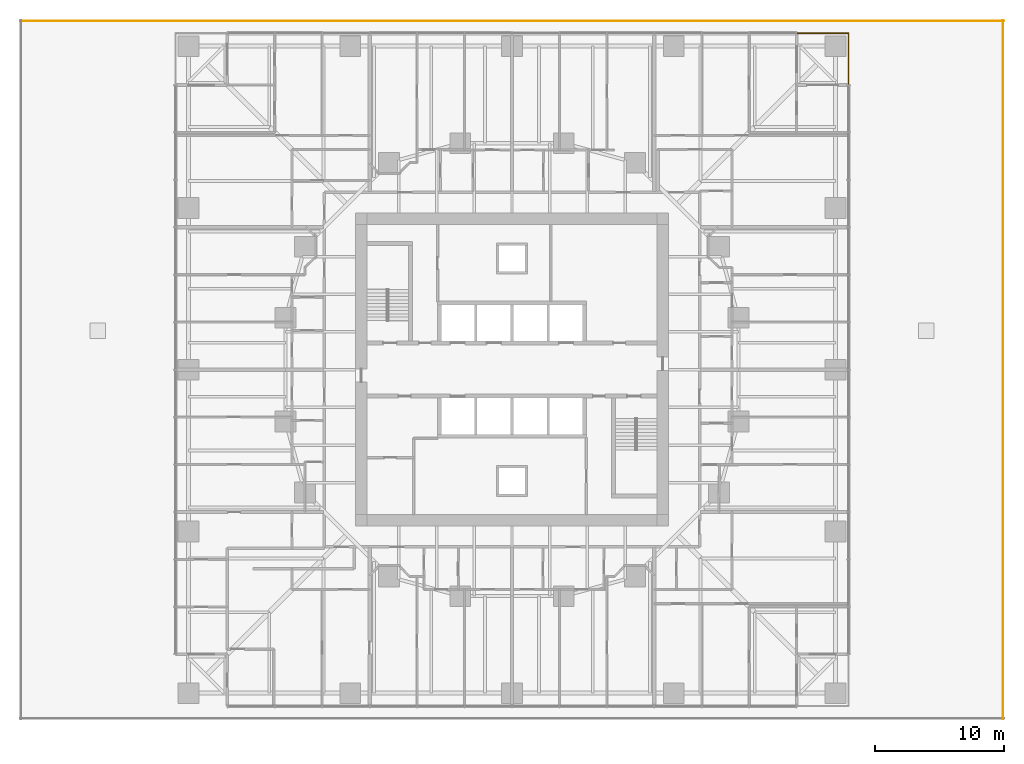
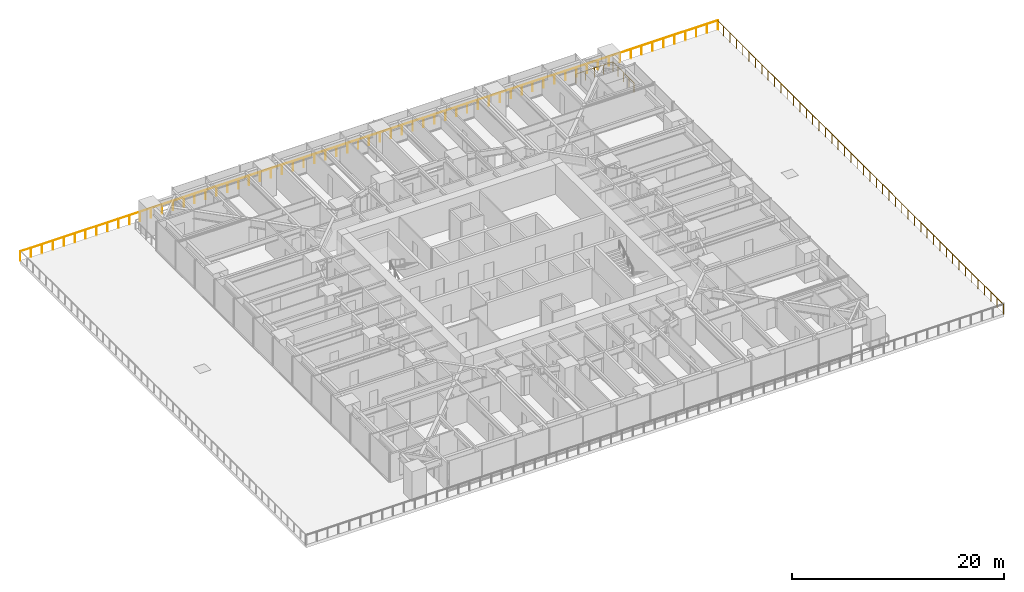
# One storey, part 15 of 15: 3 railings.
"""IFC4 building model written with IfcOpenShell, lengths in metres."""

from ifc_helpers import new_model, si_unit, direction, frame, origin, origin_2d, place, context, subcontext, project, spatial, circle, extrude, material, type_object, element, save


model = new_model("IFC4")

# Units and contexts
model_context = context("Model", 3, precision=1e-05, world=origin(), true_north=direction((0.0, 1.0)))
body_context = subcontext(model_context, "Body", "Model", "MODEL_VIEW")
ifc_project = project(units=[si_unit("LENGTHUNIT", "METRE"), si_unit("AREAUNIT", "SQUARE_METRE"), si_unit("VOLUMEUNIT", "CUBIC_METRE"), si_unit("PLANEANGLEUNIT", "RADIAN"), si_unit("MASSUNIT", "GRAM", prefix="KILO")], contexts=[model_context])

# Site, building, storey
site_placement = place(None, origin())
site = spatial("IfcSite", under=ifc_project, at=site_placement, CompositionType="ELEMENT")
building_placement = place(site_placement, origin())
building = spatial("IfcBuilding", under=site, at=building_placement, Name="Torsade Residences", CompositionType="ELEMENT")
storey_placement = place(building_placement, frame((0.0, 0.0, 15.0)))
storey = spatial("IfcBuildingStorey", under=building, at=storey_placement, Name="L03", CompositionType="ELEMENT", Elevation=15.0)

# Railings
ifc_material_1 = material(Name="Galvanised steel guard rail", Category="steel")
railing_type_1 = type_object("IfcRailingType", Name="ROOF EDGE GUARD 1100", PredefinedType="GUARDRAIL", material=ifc_material_1)
railing_1_placement = place(storey_placement, frame((77.949951171875, 3.0, 0.0)))
element("IfcRailing", 1, at=railing_1_placement, inside=storey, type_object=railing_type_1, Name="Roof edge guard L03 E", PredefinedType="GUARDRAIL", context=body_context, shape_type="SweptSolid", body=[
    extrude(circle(Radius=0.02392578125, at=origin_2d()), frame((0.0, 0.0, 1.076171875), z_axis=(0.0, 1.0, 0.0), x_axis=(-1.0, 0.0, 0.0)), (0.0, 0.0, 1.0), 54.0),
    extrude(circle(Radius=0.02099609375, at=origin_2d()), origin(), (0.0, 0.0, 1.0), 1.052001953125),
    extrude(circle(Radius=0.02099609375, at=origin_2d()), frame((0.0, 1.199951171875, 0.0)), (0.0, 0.0, 1.0), 1.052001953125),
    extrude(circle(Radius=0.02099609375, at=origin_2d()), frame((0.0, 2.39990234375, 0.0)), (0.0, 0.0, 1.0), 1.052001953125),
    extrude(circle(Radius=0.02099609375, at=origin_2d()), frame((0.0, 3.60009765625, 0.0)), (0.0, 0.0, 1.0), 1.052001953125),
    extrude(circle(Radius=0.02099609375, at=origin_2d()), frame((0.0, 4.800048828125, 0.0)), (0.0, 0.0, 1.0), 1.052001953125),
    extrude(circle(Radius=0.02099609375, at=origin_2d()), frame((0.0, 6.0, 0.0)), (0.0, 0.0, 1.0), 1.052001953125),
    extrude(circle(Radius=0.02099609375, at=origin_2d()), frame((0.0, 7.199951171875, 0.0)), (0.0, 0.0, 1.0), 1.052001953125),
    extrude(circle(Radius=0.02099609375, at=origin_2d()), frame((0.0, 8.39990234375, 0.0)), (0.0, 0.0, 1.0), 1.052001953125),
    extrude(circle(Radius=0.02099609375, at=origin_2d()), frame((0.0, 9.60009765625, 0.0)), (0.0, 0.0, 1.0), 1.052001953125),
    extrude(circle(Radius=0.02099609375, at=origin_2d()), frame((0.0, 10.800048828125, 0.0)), (0.0, 0.0, 1.0), 1.052001953125),
    extrude(circle(Radius=0.02099609375, at=origin_2d()), frame((0.0, 12.0, 0.0)), (0.0, 0.0, 1.0), 1.052001953125),
    extrude(circle(Radius=0.02099609375, at=origin_2d()), frame((0.0, 13.199951171875, 0.0)), (0.0, 0.0, 1.0), 1.052001953125),
    extrude(circle(Radius=0.02099609375, at=origin_2d()), frame((0.0, 14.39990234375, 0.0)), (0.0, 0.0, 1.0), 1.052001953125),
    extrude(circle(Radius=0.02099609375, at=origin_2d()), frame((0.0, 15.60009765625, 0.0)), (0.0, 0.0, 1.0), 1.052001953125),
    extrude(circle(Radius=0.02099609375, at=origin_2d()), frame((0.0, 16.800048828125, 0.0)), (0.0, 0.0, 1.0), 1.052001953125),
    extrude(circle(Radius=0.02099609375, at=origin_2d()), frame((0.0, 18.0, 0.0)), (0.0, 0.0, 1.0), 1.052001953125),
    extrude(circle(Radius=0.02099609375, at=origin_2d()), frame((0.0, 19.199951171875, 0.0)), (0.0, 0.0, 1.0), 1.052001953125),
    extrude(circle(Radius=0.02099609375, at=origin_2d()), frame((0.0, 20.39990234375, 0.0)), (0.0, 0.0, 1.0), 1.052001953125),
    extrude(circle(Radius=0.02099609375, at=origin_2d()), frame((0.0, 21.60009765625, 0.0)), (0.0, 0.0, 1.0), 1.052001953125),
    extrude(circle(Radius=0.02099609375, at=origin_2d()), frame((0.0, 22.800048828125, 0.0)), (0.0, 0.0, 1.0), 1.052001953125),
    extrude(circle(Radius=0.02099609375, at=origin_2d()), frame((0.0, 24.0, 0.0)), (0.0, 0.0, 1.0), 1.052001953125),
    extrude(circle(Radius=0.02099609375, at=origin_2d()), frame((0.0, 25.199951171875, 0.0)), (0.0, 0.0, 1.0), 1.052001953125),
    extrude(circle(Radius=0.02099609375, at=origin_2d()), frame((0.0, 26.39990234375, 0.0)), (0.0, 0.0, 1.0), 1.052001953125),
    extrude(circle(Radius=0.02099609375, at=origin_2d()), frame((0.0, 27.60009765625, 0.0)), (0.0, 0.0, 1.0), 1.052001953125),
    extrude(circle(Radius=0.02099609375, at=origin_2d()), frame((0.0, 28.800048828125, 0.0)), (0.0, 0.0, 1.0), 1.052001953125),
    extrude(circle(Radius=0.02099609375, at=origin_2d()), frame((0.0, 30.0, 0.0)), (0.0, 0.0, 1.0), 1.052001953125),
    extrude(circle(Radius=0.02099609375, at=origin_2d()), frame((0.0, 31.199951171875, 0.0)), (0.0, 0.0, 1.0), 1.052001953125),
    extrude(circle(Radius=0.02099609375, at=origin_2d()), frame((0.0, 32.39990234375, 0.0)), (0.0, 0.0, 1.0), 1.052001953125),
    extrude(circle(Radius=0.02099609375, at=origin_2d()), frame((0.0, 33.60009765625, 0.0)), (0.0, 0.0, 1.0), 1.052001953125),
    extrude(circle(Radius=0.02099609375, at=origin_2d()), frame((0.0, 34.800048828125, 0.0)), (0.0, 0.0, 1.0), 1.052001953125),
    extrude(circle(Radius=0.02099609375, at=origin_2d()), frame((0.0, 36.0, 0.0)), (0.0, 0.0, 1.0), 1.052001953125),
    extrude(circle(Radius=0.02099609375, at=origin_2d()), frame((0.0, 37.199951171875, 0.0)), (0.0, 0.0, 1.0), 1.052001953125),
    extrude(circle(Radius=0.02099609375, at=origin_2d()), frame((0.0, 38.39990234375, 0.0)), (0.0, 0.0, 1.0), 1.052001953125),
    extrude(circle(Radius=0.02099609375, at=origin_2d()), frame((0.0, 39.60009765625, 0.0)), (0.0, 0.0, 1.0), 1.052001953125),
    extrude(circle(Radius=0.02099609375, at=origin_2d()), frame((0.0, 40.800048828125, 0.0)), (0.0, 0.0, 1.0), 1.052001953125),
    extrude(circle(Radius=0.02099609375, at=origin_2d()), frame((0.0, 42.0, 0.0)), (0.0, 0.0, 1.0), 1.052001953125),
    extrude(circle(Radius=0.02099609375, at=origin_2d()), frame((0.0, 43.199951171875, 0.0)), (0.0, 0.0, 1.0), 1.052001953125),
    extrude(circle(Radius=0.02099609375, at=origin_2d()), frame((0.0, 44.39990234375, 0.0)), (0.0, 0.0, 1.0), 1.052001953125),
    extrude(circle(Radius=0.02099609375, at=origin_2d()), frame((0.0, 45.60009765625, 0.0)), (0.0, 0.0, 1.0), 1.052001953125),
    extrude(circle(Radius=0.02099609375, at=origin_2d()), frame((0.0, 46.800048828125, 0.0)), (0.0, 0.0, 1.0), 1.052001953125),
    extrude(circle(Radius=0.02099609375, at=origin_2d()), frame((0.0, 48.0, 0.0)), (0.0, 0.0, 1.0), 1.052001953125),
    extrude(circle(Radius=0.02099609375, at=origin_2d()), frame((0.0, 49.199951171875, 0.0)), (0.0, 0.0, 1.0), 1.052001953125),
    extrude(circle(Radius=0.02099609375, at=origin_2d()), frame((0.0, 50.39990234375, 0.0)), (0.0, 0.0, 1.0), 1.052001953125),
    extrude(circle(Radius=0.02099609375, at=origin_2d()), frame((0.0, 51.60009765625, 0.0)), (0.0, 0.0, 1.0), 1.052001953125),
    extrude(circle(Radius=0.02099609375, at=origin_2d()), frame((0.0, 52.800048828125, 0.0)), (0.0, 0.0, 1.0), 1.052001953125),
    extrude(circle(Radius=0.02099609375, at=origin_2d()), frame((0.0, 54.0, 0.0)), (0.0, 0.0, 1.0), 1.052001953125),
])
railing_2_placement = place(storey_placement, frame((78.0, 56.949951171875, 0.0)))
element("IfcRailing", 2, at=railing_2_placement, inside=storey, type_object=railing_type_1, Name="Roof edge guard L03 N", PredefinedType="GUARDRAIL", context=body_context, shape_type="SweptSolid", body=[
    extrude(circle(Radius=0.02392578125, at=origin_2d()), frame((0.0, 0.0, 1.076171875), z_axis=(-1.0, 0.0, 0.0), x_axis=(0.0, -1.0, 0.0)), (0.0, 0.0, 1.0), 76.0),
    extrude(circle(Radius=0.02099609375, at=origin_2d()), origin(), (0.0, 0.0, 1.0), 1.052001953125),
    extrude(circle(Radius=0.02099609375, at=origin_2d()), frame((-1.1875, 0.0, 0.0)), (0.0, 0.0, 1.0), 1.052001953125),
    extrude(circle(Radius=0.02099609375, at=origin_2d()), frame((-2.375, 0.0, 0.0)), (0.0, 0.0, 1.0), 1.052001953125),
    extrude(circle(Radius=0.02099609375, at=origin_2d()), frame((-3.5625, 0.0, 0.0)), (0.0, 0.0, 1.0), 1.052001953125),
    extrude(circle(Radius=0.02099609375, at=origin_2d()), frame((-4.75, 0.0, 0.0)), (0.0, 0.0, 1.0), 1.052001953125),
    extrude(circle(Radius=0.02099609375, at=origin_2d()), frame((-5.9375, 0.0, 0.0)), (0.0, 0.0, 1.0), 1.052001953125),
    extrude(circle(Radius=0.02099609375, at=origin_2d()), frame((-7.125, 0.0, 0.0)), (0.0, 0.0, 1.0), 1.052001953125),
    extrude(circle(Radius=0.02099609375, at=origin_2d()), frame((-8.3125, 0.0, 0.0)), (0.0, 0.0, 1.0), 1.052001953125),
    extrude(circle(Radius=0.02099609375, at=origin_2d()), frame((-9.5, 0.0, 0.0)), (0.0, 0.0, 1.0), 1.052001953125),
    extrude(circle(Radius=0.02099609375, at=origin_2d()), frame((-10.6875, 0.0, 0.0)), (0.0, 0.0, 1.0), 1.052001953125),
    extrude(circle(Radius=0.02099609375, at=origin_2d()), frame((-11.875, 0.0, 0.0)), (0.0, 0.0, 1.0), 1.052001953125),
    extrude(circle(Radius=0.02099609375, at=origin_2d()), frame((-13.0625, 0.0, 0.0)), (0.0, 0.0, 1.0), 1.052001953125),
    extrude(circle(Radius=0.02099609375, at=origin_2d()), frame((-14.25, 0.0, 0.0)), (0.0, 0.0, 1.0), 1.052001953125),
    extrude(circle(Radius=0.02099609375, at=origin_2d()), frame((-15.4375, 0.0, 0.0)), (0.0, 0.0, 1.0), 1.052001953125),
    extrude(circle(Radius=0.02099609375, at=origin_2d()), frame((-16.625, 0.0, 0.0)), (0.0, 0.0, 1.0), 1.052001953125),
    extrude(circle(Radius=0.02099609375, at=origin_2d()), frame((-17.8125, 0.0, 0.0)), (0.0, 0.0, 1.0), 1.052001953125),
    extrude(circle(Radius=0.02099609375, at=origin_2d()), frame((-19.0, 0.0, 0.0)), (0.0, 0.0, 1.0), 1.052001953125),
    extrude(circle(Radius=0.02099609375, at=origin_2d()), frame((-20.1875, 0.0, 0.0)), (0.0, 0.0, 1.0), 1.052001953125),
    extrude(circle(Radius=0.02099609375, at=origin_2d()), frame((-21.375, 0.0, 0.0)), (0.0, 0.0, 1.0), 1.052001953125),
    extrude(circle(Radius=0.02099609375, at=origin_2d()), frame((-22.5625, 0.0, 0.0)), (0.0, 0.0, 1.0), 1.052001953125),
    extrude(circle(Radius=0.02099609375, at=origin_2d()), frame((-23.75, 0.0, 0.0)), (0.0, 0.0, 1.0), 1.052001953125),
    extrude(circle(Radius=0.02099609375, at=origin_2d()), frame((-24.9375, 0.0, 0.0)), (0.0, 0.0, 1.0), 1.052001953125),
    extrude(circle(Radius=0.02099609375, at=origin_2d()), frame((-26.125, 0.0, 0.0)), (0.0, 0.0, 1.0), 1.052001953125),
    extrude(circle(Radius=0.02099609375, at=origin_2d()), frame((-27.3125, 0.0, 0.0)), (0.0, 0.0, 1.0), 1.052001953125),
    extrude(circle(Radius=0.02099609375, at=origin_2d()), frame((-28.5, 0.0, 0.0)), (0.0, 0.0, 1.0), 1.052001953125),
    extrude(circle(Radius=0.02099609375, at=origin_2d()), frame((-29.6875, 0.0, 0.0)), (0.0, 0.0, 1.0), 1.052001953125),
    extrude(circle(Radius=0.02099609375, at=origin_2d()), frame((-30.875, 0.0, 0.0)), (0.0, 0.0, 1.0), 1.052001953125),
    extrude(circle(Radius=0.02099609375, at=origin_2d()), frame((-32.0625, 0.0, 0.0)), (0.0, 0.0, 1.0), 1.052001953125),
    extrude(circle(Radius=0.02099609375, at=origin_2d()), frame((-33.25, 0.0, 0.0)), (0.0, 0.0, 1.0), 1.052001953125),
    extrude(circle(Radius=0.02099609375, at=origin_2d()), frame((-34.4375, 0.0, 0.0)), (0.0, 0.0, 1.0), 1.052001953125),
    extrude(circle(Radius=0.02099609375, at=origin_2d()), frame((-35.625, 0.0, 0.0)), (0.0, 0.0, 1.0), 1.052001953125),
    extrude(circle(Radius=0.02099609375, at=origin_2d()), frame((-36.8125, 0.0, 0.0)), (0.0, 0.0, 1.0), 1.052001953125),
    extrude(circle(Radius=0.02099609375, at=origin_2d()), frame((-38.0, 0.0, 0.0)), (0.0, 0.0, 1.0), 1.052001953125),
    extrude(circle(Radius=0.02099609375, at=origin_2d()), frame((-39.1875, 0.0, 0.0)), (0.0, 0.0, 1.0), 1.052001953125),
    extrude(circle(Radius=0.02099609375, at=origin_2d()), frame((-40.375, 0.0, 0.0)), (0.0, 0.0, 1.0), 1.052001953125),
    extrude(circle(Radius=0.02099609375, at=origin_2d()), frame((-41.5625, 0.0, 0.0)), (0.0, 0.0, 1.0), 1.052001953125),
    extrude(circle(Radius=0.02099609375, at=origin_2d()), frame((-42.75, 0.0, 0.0)), (0.0, 0.0, 1.0), 1.052001953125),
    extrude(circle(Radius=0.02099609375, at=origin_2d()), frame((-43.9375, 0.0, 0.0)), (0.0, 0.0, 1.0), 1.052001953125),
    extrude(circle(Radius=0.02099609375, at=origin_2d()), frame((-45.125, 0.0, 0.0)), (0.0, 0.0, 1.0), 1.052001953125),
    extrude(circle(Radius=0.02099609375, at=origin_2d()), frame((-46.3125, 0.0, 0.0)), (0.0, 0.0, 1.0), 1.052001953125),
    extrude(circle(Radius=0.02099609375, at=origin_2d()), frame((-47.5, 0.0, 0.0)), (0.0, 0.0, 1.0), 1.052001953125),
    extrude(circle(Radius=0.02099609375, at=origin_2d()), frame((-48.6875, 0.0, 0.0)), (0.0, 0.0, 1.0), 1.052001953125),
    extrude(circle(Radius=0.02099609375, at=origin_2d()), frame((-49.875, 0.0, 0.0)), (0.0, 0.0, 1.0), 1.052001953125),
    extrude(circle(Radius=0.02099609375, at=origin_2d()), frame((-51.0625, 0.0, 0.0)), (0.0, 0.0, 1.0), 1.052001953125),
    extrude(circle(Radius=0.02099609375, at=origin_2d()), frame((-52.25, 0.0, 0.0)), (0.0, 0.0, 1.0), 1.052001953125),
    extrude(circle(Radius=0.02099609375, at=origin_2d()), frame((-53.4375, 0.0, 0.0)), (0.0, 0.0, 1.0), 1.052001953125),
    extrude(circle(Radius=0.02099609375, at=origin_2d()), frame((-54.625, 0.0, 0.0)), (0.0, 0.0, 1.0), 1.052001953125),
    extrude(circle(Radius=0.02099609375, at=origin_2d()), frame((-55.8125, 0.0, 0.0)), (0.0, 0.0, 1.0), 1.052001953125),
    extrude(circle(Radius=0.02099609375, at=origin_2d()), frame((-57.0, 0.0, 0.0)), (0.0, 0.0, 1.0), 1.052001953125),
    extrude(circle(Radius=0.02099609375, at=origin_2d()), frame((-58.1875, 0.0, 0.0)), (0.0, 0.0, 1.0), 1.052001953125),
    extrude(circle(Radius=0.02099609375, at=origin_2d()), frame((-59.375, 0.0, 0.0)), (0.0, 0.0, 1.0), 1.052001953125),
    extrude(circle(Radius=0.02099609375, at=origin_2d()), frame((-60.5625, 0.0, 0.0)), (0.0, 0.0, 1.0), 1.052001953125),
    extrude(circle(Radius=0.02099609375, at=origin_2d()), frame((-61.75, 0.0, 0.0)), (0.0, 0.0, 1.0), 1.052001953125),
    extrude(circle(Radius=0.02099609375, at=origin_2d()), frame((-62.9375, 0.0, 0.0)), (0.0, 0.0, 1.0), 1.052001953125),
    extrude(circle(Radius=0.02099609375, at=origin_2d()), frame((-64.125, 0.0, 0.0)), (0.0, 0.0, 1.0), 1.052001953125),
    extrude(circle(Radius=0.02099609375, at=origin_2d()), frame((-65.3125, 0.0, 0.0)), (0.0, 0.0, 1.0), 1.052001953125),
    extrude(circle(Radius=0.02099609375, at=origin_2d()), frame((-66.5, 0.0, 0.0)), (0.0, 0.0, 1.0), 1.052001953125),
    extrude(circle(Radius=0.02099609375, at=origin_2d()), frame((-67.6875, 0.0, 0.0)), (0.0, 0.0, 1.0), 1.052001953125),
    extrude(circle(Radius=0.02099609375, at=origin_2d()), frame((-68.875, 0.0, 0.0)), (0.0, 0.0, 1.0), 1.052001953125),
    extrude(circle(Radius=0.02099609375, at=origin_2d()), frame((-70.0625, 0.0, 0.0)), (0.0, 0.0, 1.0), 1.052001953125),
    extrude(circle(Radius=0.02099609375, at=origin_2d()), frame((-71.25, 0.0, 0.0)), (0.0, 0.0, 1.0), 1.052001953125),
    extrude(circle(Radius=0.02099609375, at=origin_2d()), frame((-72.4375, 0.0, 0.0)), (0.0, 0.0, 1.0), 1.052001953125),
    extrude(circle(Radius=0.02099609375, at=origin_2d()), frame((-73.625, 0.0, 0.0)), (0.0, 0.0, 1.0), 1.052001953125),
    extrude(circle(Radius=0.02099609375, at=origin_2d()), frame((-74.8125, 0.0, 0.0)), (0.0, 0.0, 1.0), 1.052001953125),
    extrude(circle(Radius=0.02099609375, at=origin_2d()), frame((-76.0, 0.0, 0.0)), (0.0, 0.0, 1.0), 1.052001953125),
])
ifc_material_2 = material(Name="Laminated glass balustrade", Category="glass")
railing_type_2 = type_object("IfcRailingType", Name="TERRACE GLASS BALUSTRADE 1100", PredefinedType="BALUSTRADE", material=ifc_material_2)
railing_3_placement = place(storey_placement, frame((66.0, 52.0, 0.0)))
element("IfcRailing", 3, at=railing_3_placement, inside=storey, type_object=railing_type_2, Name="Terrace balustrade NE L03", PredefinedType="BALUSTRADE", context=body_context, shape_type="SweptSolid", body=[
    extrude(circle(Radius=0.02392578125, at=origin_2d()), frame((0.0, 0.0, 1.076171875), z_axis=(0.0, 1.0, 0.0), x_axis=(-1.0, 0.0, 0.0)), (0.0, 0.0, 1.0), 4.0),
    extrude(circle(Radius=0.02392578125, at=origin_2d()), frame((0.0, 4.0, 1.076171875), z_axis=(-1.0, 0.0, 0.0), x_axis=(0.0, -1.0, 0.0)), (0.0, 0.0, 1.0), 4.0),
    extrude(circle(Radius=0.02099609375, at=origin_2d()), origin(), (0.0, 0.0, 1.0), 1.052001953125),
    extrude(circle(Radius=0.02099609375, at=origin_2d()), frame((0.0, 1.0, 0.0)), (0.0, 0.0, 1.0), 1.052001953125),
    extrude(circle(Radius=0.02099609375, at=origin_2d()), frame((0.0, 2.0, 0.0)), (0.0, 0.0, 1.0), 1.052001953125),
    extrude(circle(Radius=0.02099609375, at=origin_2d()), frame((0.0, 3.0, 0.0)), (0.0, 0.0, 1.0), 1.052001953125),
    extrude(circle(Radius=0.02099609375, at=origin_2d()), frame((0.0, 4.0, 0.0)), (0.0, 0.0, 1.0), 1.052001953125),
    extrude(circle(Radius=0.02099609375, at=origin_2d()), frame((-1.0, 4.0, 0.0)), (0.0, 0.0, 1.0), 1.052001953125),
    extrude(circle(Radius=0.02099609375, at=origin_2d()), frame((-2.0, 4.0, 0.0)), (0.0, 0.0, 1.0), 1.052001953125),
    extrude(circle(Radius=0.02099609375, at=origin_2d()), frame((-3.0, 4.0, 0.0)), (0.0, 0.0, 1.0), 1.052001953125),
    extrude(circle(Radius=0.02099609375, at=origin_2d()), frame((-4.0, 4.0, 0.0)), (0.0, 0.0, 1.0), 1.052001953125),
])

save(model, "model.ifc")
